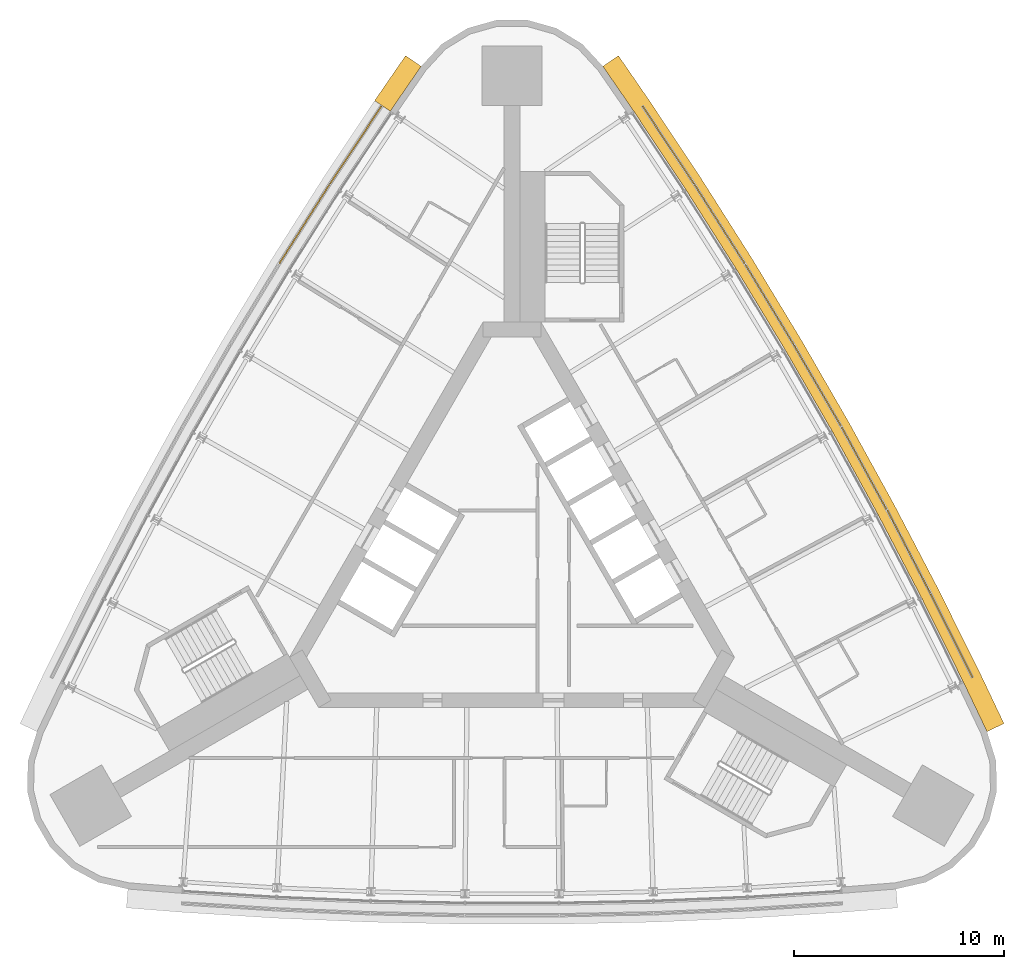
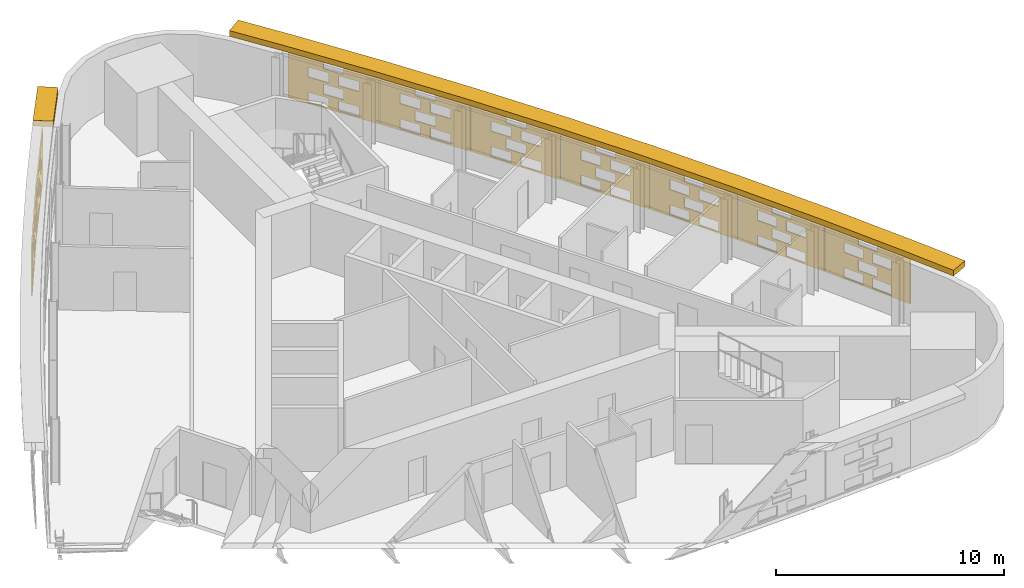
# One storey, part 12 of 12: 11 shading devices.
"""IFC4 building model written with IfcOpenShell, lengths in metres."""

import ifcopenshell
import ifcopenshell.guid

model = None  # the IFC model being written
_history = None  # IfcOwnerHistory: only IFC2X3 demands one
_inside = {}  # id of a spatial element -> (the spatial element, [elements in it])
_under = {}  # id of a project, library or spatial element -> (it, [spatial elements below it])
_declared = {}  # id of a project -> (the project, [libraries it declares])
_typed = {}  # id of a type object -> (the type object, [elements of that type])
_made_of = {}  # id of a material, layer set ... -> (it, [elements and type objects made of it])


def new_model(schema):
    """Start an empty IFC model of exactly this schema.

    Asked for "IFC4X3", IfcOpenShell would pick the latest addendum, in which some entities
    have other attributes; the version numbers below select the first issue.
    IFC2X3 requires an IfcOwnerHistory on every rooted entity: one is made here for all.
    """
    global model, _history
    if schema == "IFC4X3":
        model = ifcopenshell.file(schema_version=(4, 3, 0, 0))
    else:
        model = ifcopenshell.file(schema=schema)
    _inside.clear()
    _under.clear()
    _declared.clear()
    _typed.clear()
    _made_of.clear()
    _history = None
    if model.schema == "IFC2X3":
        org = make("IfcOrganization", Name="unknown")
        user = make(
            "IfcPersonAndOrganization",
            ThePerson=make("IfcPerson", FamilyName="unknown"),
            TheOrganization=org,
        )
        app = make(
            "IfcApplication",
            ApplicationDeveloper=org,
            Version="unknown",
            ApplicationFullName="unknown",
            ApplicationIdentifier="unknown",
        )
        _history = make(
            "IfcOwnerHistory",
            OwningUser=user,
            OwningApplication=app,
            ChangeAction="ADDED",
            CreationDate=0,
        )
    return model


def make(cls, **values):
    """One entity of the class cls with the attributes given. An attribute that is None is left unset."""
    return model.create_entity(
        cls, **{name: value for name, value in values.items() if value is not None}
    )


def rooted(cls, **values):
    """An entity with a GlobalId (a new one), such as an element, a storey or a relation."""
    return make(cls, GlobalId=ifcopenshell.guid.new(), OwnerHistory=_history, **values)


def si_unit(unit_type, name, prefix=None):
    """IfcSIUnit, for example si_unit("LENGTHUNIT", "METRE", prefix="MILLI")."""
    return make("IfcSIUnit", UnitType=unit_type, Prefix=prefix, Name=name)


def assignment(units):
    """IfcUnitAssignment: the units of a project."""
    return None if units is None else make("IfcUnitAssignment", Units=units)


def point(xyz):
    """IfcCartesianPoint."""
    return None if xyz is None else make("IfcCartesianPoint", Coordinates=xyz)


def direction(xyz):
    """IfcDirection."""
    return None if xyz is None else make("IfcDirection", DirectionRatios=xyz)


def frame(location, z_axis=None, x_axis=None):
    """IfcAxis2Placement3D, a coordinate frame: its origin and axes. An axis left out is left unset."""
    return make(
        "IfcAxis2Placement3D",
        Location=point(location),
        Axis=direction(z_axis),
        RefDirection=direction(x_axis),
    )


def origin():
    """The frame at (0, 0, 0) with its axes left unset."""
    return frame((0.0, 0.0, 0.0))


def place(relative_to, where):
    """IfcLocalPlacement: puts the frame where relative to a parent placement (None: the world)."""
    return make(
        "IfcLocalPlacement", PlacementRelTo=relative_to, RelativePlacement=where
    )


def context(
    kind, dimensions, precision=None, world=None, true_north=None, identifier=None
):
    """IfcGeometricRepresentationContext, for example the 3D "Model" context."""
    return make(
        "IfcGeometricRepresentationContext",
        ContextIdentifier=identifier,
        ContextType=kind,
        CoordinateSpaceDimension=dimensions,
        Precision=precision,
        WorldCoordinateSystem=world,
        TrueNorth=true_north,
    )


def subcontext(parent, identifier, kind, view, scale=None):
    """IfcGeometricRepresentationSubContext, for example "Body" below "Model"."""
    return make(
        "IfcGeometricRepresentationSubContext",
        ContextIdentifier=identifier,
        ContextType=kind,
        ParentContext=parent,
        TargetScale=scale,
        TargetView=view,
    )


def project(units=None, contexts=None):
    """IfcProject with its units and contexts."""
    return rooted(
        "IfcProject",
        Name="project",
        RepresentationContexts=contexts,
        UnitsInContext=assignment(units),
    )


def spatial(cls, under=None, at=None, **own):
    """A site, building, storey or space (cls), placed at a placement, below another one or the project."""
    s = rooted(cls, ObjectPlacement=at, **own)
    if under is not None:
        _under.setdefault(under.id(), (under, []))[1].append(s)
    return s


def polyline(points):
    """IfcPolyline through the points."""
    return make("IfcPolyline", Points=[point(p) for p in points])


def outline(outer, holes=None, kind="AREA"):
    """IfcArbitraryClosedProfileDef: a profile drawn as a closed curve; with holes, ...WithVoids."""
    if holes is None:
        return make("IfcArbitraryClosedProfileDef", ProfileType=kind, OuterCurve=outer)
    return make(
        "IfcArbitraryProfileDefWithVoids",
        ProfileType=kind,
        OuterCurve=outer,
        InnerCurves=holes,
    )


def extrude(swept, where, along, depth):
    """IfcExtrudedAreaSolid: the profile swept, set in the frame where, extruded along a direction by depth."""
    return make(
        "IfcExtrudedAreaSolid",
        SweptArea=swept,
        Position=where,
        ExtrudedDirection=direction(along),
        Depth=depth,
    )


def shape(context_of_items, identifier, shape_type, items):
    """IfcShapeRepresentation: the items that make up one representation, for example the "Body"."""
    return make(
        "IfcShapeRepresentation",
        ContextOfItems=context_of_items,
        RepresentationIdentifier=identifier,
        RepresentationType=shape_type,
        Items=items,
    )


def material(Name=None, Category=None):
    """IfcMaterial."""
    return make("IfcMaterial", Name=Name, Category=Category)


def material_profile(
    of_material, cross_section, Name=None, Category=None, Priority=None
):
    """IfcMaterialProfile: a cross section and its material."""
    return make(
        "IfcMaterialProfile",
        Name=Name,
        Material=of_material,
        Profile=cross_section,
        Priority=Priority,
        Category=Category,
    )


def profile_set(profiles, Name=None, composite=None):
    """IfcMaterialProfileSet."""
    return make(
        "IfcMaterialProfileSet",
        Name=Name,
        MaterialProfiles=profiles,
        CompositeProfile=composite,
    )


def made_of(thing, what):
    """Note that an element or type object is made of a material, layer set ...; save() writes the relation."""
    if what is not None:
        _made_of.setdefault(what.id(), (what, []))[1].append(thing)
    return thing


def type_object(cls, material=None, **own):
    """A type object (cls), such as IfcWallType, which elements share."""
    return made_of(rooted(cls, **own), material)


def element(
    cls,
    number,
    at=None,
    inside=None,
    cuts=None,
    type_object=None,
    material=None,
    context=None,
    identifier="Body",
    shape_type=None,
    held_by="IfcProductDefinitionShape",
    body=None,
    shapes=None,
    **own,
):
    """One element of the class cls, such as IfcWall. Its Tag is "e" and its number.

    at: its placement. inside: the storey or other place that contains it. cuts: it is an
    opening in that element (IfcRelVoidsElement). A single representation is given by context,
    identifier, shape_type and body (its items); several are given by shapes. held_by: the class
    of the entity that holds the representations. save() writes the other relations.
    """
    e = rooted(cls, Tag="e%d" % number, ObjectPlacement=at, **own)
    if body is not None:
        shapes = [shape(context, identifier, shape_type, body)]
    if shapes is not None:
        e.Representation = make(held_by, Representations=shapes)
    if inside is not None:
        _inside.setdefault(inside.id(), (inside, []))[1].append(e)
    if cuts is not None:
        rooted(
            "IfcRelVoidsElement", RelatingBuildingElement=cuts, RelatedOpeningElement=e
        )
    if type_object is not None:
        _typed.setdefault(type_object.id(), (type_object, []))[1].append(e)
    return made_of(e, material)


def aggregate(whole, parts):
    """IfcRelAggregates: a whole, such as a stair, and the parts it consists of."""
    return rooted("IfcRelAggregates", RelatingObject=whole, RelatedObjects=parts)


def save(model, path):
    """Write the relations noted so far, then the file.

    IfcRelAggregates (storeys below a building ...), IfcRelContainedInSpatialStructure (elements
    in a storey), IfcRelDefinesByType, IfcRelAssociatesMaterial and IfcRelDeclares: one each for
    every whole, place, type object, material and project.
    """
    for whole, parts in _under.values():
        aggregate(whole, parts)
    for where, things in _inside.values():
        rooted(
            "IfcRelContainedInSpatialStructure",
            RelatedElements=things,
            RelatingStructure=where,
        )
    for kind, things in _typed.values():
        rooted("IfcRelDefinesByType", RelatedObjects=things, RelatingType=kind)
    for what, things in _made_of.values():
        rooted("IfcRelAssociatesMaterial", RelatedObjects=things, RelatingMaterial=what)
    for by, libraries in _declared.values():
        rooted("IfcRelDeclares", RelatingContext=by, RelatedDefinitions=libraries)
    model.write(path)


model = new_model("IFC4")

# Units and contexts
model_context = context("Model", 3, precision=1e-05, world=origin(), true_north=direction((0.0, 1.0)))
body_context = subcontext(model_context, "Body", "Model", "MODEL_VIEW")
ifc_project = project(units=[si_unit("LENGTHUNIT", "METRE"), si_unit("AREAUNIT", "SQUARE_METRE"), si_unit("VOLUMEUNIT", "CUBIC_METRE"), si_unit("PLANEANGLEUNIT", "RADIAN"), si_unit("MASSUNIT", "GRAM", prefix="KILO")], contexts=[model_context])

# Site, building, storey
site_placement = place(None, origin())
site = spatial("IfcSite", under=ifc_project, at=site_placement, CompositionType="ELEMENT")
building_placement = place(site_placement, origin())
building = spatial("IfcBuilding", under=site, at=building_placement, Name="Noor Cloister Tower", CompositionType="ELEMENT")
storey_placement = place(building_placement, frame((0.0, 0.0, 161.699951171875)))
storey = spatial("IfcBuildingStorey", under=building, at=storey_placement, Name="L41", CompositionType="ELEMENT", Elevation=161.699951171875)

# Shading devices
ifc_material_1 = material(Name="Limestone", Category="masonry")
ifc_material_profile = material_profile(ifc_material_1, outline(polyline([(-2.22998046875, -1.35009765625), (2.22998046875, -1.35009765625), (2.22998046875, 1.35009765625), (-2.22998046875, 1.35009765625), (-2.22998046875, -1.35009765625)]), holes=[polyline([(-1.25, -1.282470703125), (-0.25, -1.282470703125), (-0.25, -0.742431640625), (-1.25, -0.742431640625), (-1.25, -1.282470703125)]), polyline([(0.25, -1.282470703125), (1.25, -1.282470703125), (1.25, -0.742431640625), (0.25, -0.742431640625), (0.25, -1.282470703125)]), polyline([(-0.5, -0.607421875), (0.5, -0.607421875), (0.5, -0.0673828125), (-0.5, -0.0673828125), (-0.5, -0.607421875)]), polyline([(-1.25, 0.0673828125), (-0.25, 0.0673828125), (-0.25, 0.607421875), (-1.25, 0.607421875), (-1.25, 0.0673828125)]), polyline([(0.25, 0.0673828125), (1.25, 0.0673828125), (1.25, 0.607421875), (0.25, 0.607421875), (0.25, 0.0673828125)]), polyline([(-0.5, 0.742431640625), (0.5, 0.742431640625), (0.5, 1.282470703125), (-0.5, 1.282470703125), (-0.5, 0.742431640625)])]), Name="Woven screen 30 percent open")
ifc_profile_set = profile_set([ifc_material_profile], Name="Limestone")
shading_device_type_1 = type_object("IfcShadingDeviceType", Name="SCREEN woven limestone 30 percent open", PredefinedType="USERDEFINED", material=ifc_profile_set)
for number, where, z_axis, x_axis, name in (
    (1, (-7.429443359375, 19.8994140625, 1.85009765625), (-0.833298909309, 0.552822691054, 0.0), (-0.552822691054, -0.833298909309, 0.0), "SCREEN L41 1"),
    (2, (-9.88525390625, 16.11767578125, 1.85009765625), (-0.844329420183, 0.535824439731, 0.0), (-0.535824439731, -0.844329420183, 0.0), "SCREEN L41 2"),
    (3, (20.9482421875, -3.515625, 1.85009765625), (0.894427191, 0.4472135955, 0.0), (-0.4472135955, 0.894427191, 0.0), "SCREEN L41 1"),
    (4, (18.901123046875, 0.502197265625, 1.85009765625), (0.887816162103, 0.460198285861, 0.0), (-0.460198285861, 0.887816162103, 0.0), "SCREEN L41 2"),
    (5, (16.770263671875, 4.47607421875, 1.85009765625), (0.877584848731, 0.479421352547, 0.0), (-0.479421352547, 0.877584848731, 0.0), "SCREEN L41 3"),
):
    element("IfcShadingDevice", number, at=place(storey_placement, frame(where, z_axis=z_axis, x_axis=x_axis)), inside=storey, type_object=shading_device_type_1, Name=name, ObjectType="SCREEN", PredefinedType="USERDEFINED", context=body_context, shape_type="SweptSolid", body=[
        extrude(outline(polyline([(-2.22998046875, -1.35009765625), (2.22998046875, -1.35009765625), (2.22998046875, 1.35009765625), (-2.22998046875, 1.35009765625), (-2.22998046875, -1.35009765625)]), holes=[polyline([(-1.25, -1.282470703125), (-0.25, -1.282470703125), (-0.25, -0.742431640625), (-1.25, -0.742431640625), (-1.25, -1.282470703125)]), polyline([(0.25, -1.282470703125), (1.25, -1.282470703125), (1.25, -0.742431640625), (0.25, -0.742431640625), (0.25, -1.282470703125)]), polyline([(-0.5, -0.607421875), (0.5, -0.607421875), (0.5, -0.0673828125), (-0.5, -0.0673828125), (-0.5, -0.607421875)]), polyline([(-1.25, 0.0673828125), (-0.25, 0.0673828125), (-0.25, 0.607421875), (-1.25, 0.607421875), (-1.25, 0.0673828125)]), polyline([(0.25, 0.0673828125), (1.25, 0.0673828125), (1.25, 0.607421875), (0.25, 0.607421875), (0.25, 0.0673828125)]), polyline([(-0.5, 0.742431640625), (0.5, 0.742431640625), (0.5, 1.282470703125), (-0.5, 1.282470703125), (-0.5, 0.742431640625)])]), origin(), (0.0, 0.0, 1.0), 0.06005859375),
    ])
for number, where, z_axis, x_axis, name in (
    (6, (14.556884765625, 8.404296875, 1.85009765625), (0.86496035152, 0.501840203948, 0.0), (-0.501840203948, 0.86496035152, 0.0), "SCREEN L41 4"),
    (7, (12.261474609375, 12.28564453125, 1.85009765625), (0.855690023312, 0.517488728384, 0.0), (-0.517488728384, 0.855690023312, 0.0), "SCREEN L41 5"),
):
    element("IfcShadingDevice", number, at=place(storey_placement, frame(where, z_axis=z_axis, x_axis=x_axis)), inside=storey, type_object=shading_device_type_1, Name=name, ObjectType="SCREEN", PredefinedType="USERDEFINED", context=body_context, shape_type="SweptSolid", body=[
        extrude(outline(polyline([(-2.22998046875, -1.35009765625), (2.22998046875, -1.35009765625), (2.22998046875, 1.35009765625), (-2.22998046875, 1.35009765625), (-2.22998046875, -1.35009765625)]), holes=[polyline([(-1.25, -1.282470703125), (-0.25, -1.282470703125), (-0.25, -0.742431640625), (-1.25, -0.742431640625), (-1.25, -1.282470703125)]), polyline([(0.25, -1.282470703125), (1.25, -1.282470703125), (1.25, -0.742431640625), (0.25, -0.742431640625), (0.25, -1.282470703125)]), polyline([(-0.5, -0.607421875), (0.5, -0.607421875), (0.5, -0.0673828125), (-0.5, -0.0673828125), (-0.5, -0.607421875)]), polyline([(-1.25, 0.0673828125), (-0.25, 0.0673828125), (-0.25, 0.607421875), (-1.25, 0.607421875), (-1.25, 0.0673828125)]), polyline([(0.25, 0.0673828125), (1.25, 0.0673828125), (1.25, 0.607421875), (0.25, 0.607421875), (0.25, 0.0673828125)]), polyline([(-0.5, 0.742431640625), (0.5, 0.742431640625), (0.5, 1.282470703125), (-0.5, 1.282470703125), (-0.5, 0.742431640625)])]), origin(), (0.0, 0.0, 1.0), 0.059814453125),
    ])
for number, where, z_axis, x_axis, name in (
    (8, (9.88525390625, 16.11767578125, 1.85009765625), (0.844329420183, 0.535824439731, 0.0), (-0.535824439731, 0.844329420183, 0.0), "SCREEN L41 6"),
    (9, (7.429443359375, 19.8994140625, 1.85009765625), (0.833298909309, 0.552822691054, 0.0), (-0.552822691054, 0.833298909309, 0.0), "SCREEN L41 7"),
):
    element("IfcShadingDevice", number, at=place(storey_placement, frame(where, z_axis=z_axis, x_axis=x_axis)), inside=storey, type_object=shading_device_type_1, Name=name, ObjectType="SCREEN", PredefinedType="USERDEFINED", context=body_context, shape_type="SweptSolid", body=[
        extrude(outline(polyline([(-2.22998046875, -1.35009765625), (2.22998046875, -1.35009765625), (2.22998046875, 1.35009765625), (-2.22998046875, 1.35009765625), (-2.22998046875, -1.35009765625)]), holes=[polyline([(-1.25, -1.282470703125), (-0.25, -1.282470703125), (-0.25, -0.742431640625), (-1.25, -0.742431640625), (-1.25, -1.282470703125)]), polyline([(0.25, -1.282470703125), (1.25, -1.282470703125), (1.25, -0.742431640625), (0.25, -0.742431640625), (0.25, -1.282470703125)]), polyline([(-0.5, -0.607421875), (0.5, -0.607421875), (0.5, -0.0673828125), (-0.5, -0.0673828125), (-0.5, -0.607421875)]), polyline([(-1.25, 0.0673828125), (-0.25, 0.0673828125), (-0.25, 0.607421875), (-1.25, 0.607421875), (-1.25, 0.0673828125)]), polyline([(0.25, 0.0673828125), (1.25, 0.0673828125), (1.25, 0.607421875), (0.25, 0.607421875), (0.25, 0.0673828125)]), polyline([(-0.5, 0.742431640625), (0.5, 0.742431640625), (0.5, 1.282470703125), (-0.5, 1.282470703125), (-0.5, 0.742431640625)])]), origin(), (0.0, 0.0, 1.0), 0.06005859375),
    ])
ifc_material_2 = material(Name="Limestone", Category="masonry")
shading_device_type_2 = type_object("IfcShadingDeviceType", Name="SUNSHADE limestone band 900", PredefinedType="USERDEFINED", material=ifc_material_2)
shading_device_1_placement = place(storey_placement, frame((0.0, 0.0, 3.300048828125)))
element("IfcShadingDevice", 10, at=shading_device_1_placement, inside=storey, type_object=shading_device_type_2, Name="SUNSHADE L41 3", ObjectType="SUNSHADE", PredefinedType="USERDEFINED", context=body_context, shape_type="SweptSolid", body=[
    extrude(outline(polyline([(23.47509765625, -7.69091796875), (22.35498046875, -5.33740234375), (20.3466796875, -1.291748046875), (18.253173828125, 2.712890625), (16.076171875, 6.672607421875), (13.81689453125, 10.5859375), (11.47607421875, 14.451171875), (9.0546875, 18.2666015625), (6.55517578125, 22.028564453125), (5.076904296875, 24.175537109375), (4.335693359375, 23.665283203125), (5.8095703125, 21.5244140625), (8.2998046875, 17.7763671875), (10.7109375, 13.97705078125), (13.0419921875, 10.1279296875), (15.2919921875, 6.23095703125), (17.4599609375, 2.28759765625), (19.544677734375, -1.7001953125), (21.54541015625, -5.73095703125), (22.66259765625, -8.077880859375), (23.47509765625, -7.69091796875)])), origin(), (0.0, 0.0, 1.0), 0.300048828125),
])
shading_device_2_placement = place(storey_placement, frame((0.0, 0.0, 3.300048828125)))
element("IfcShadingDevice", 11, at=shading_device_2_placement, inside=storey, type_object=shading_device_type_2, Name="SUNSHADE L41 4", ObjectType="SUNSHADE", PredefinedType="USERDEFINED", context=body_context, shape_type="SweptSolid", body=[
    extrude(outline(polyline([(-5.076904296875, 24.175537109375), (-6.55078125, 22.03466796875), (-5.8095703125, 21.5244140625), (-4.335693359375, 23.665283203125), (-5.076904296875, 24.175537109375)])), origin(), (0.0, 0.0, 1.0), 0.300048828125),
])

save(model, "model.ifc")
